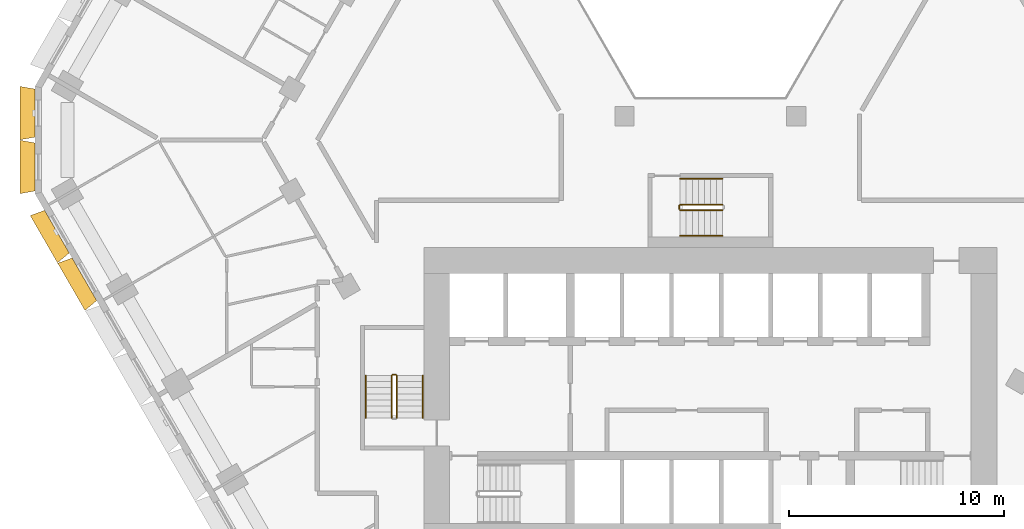
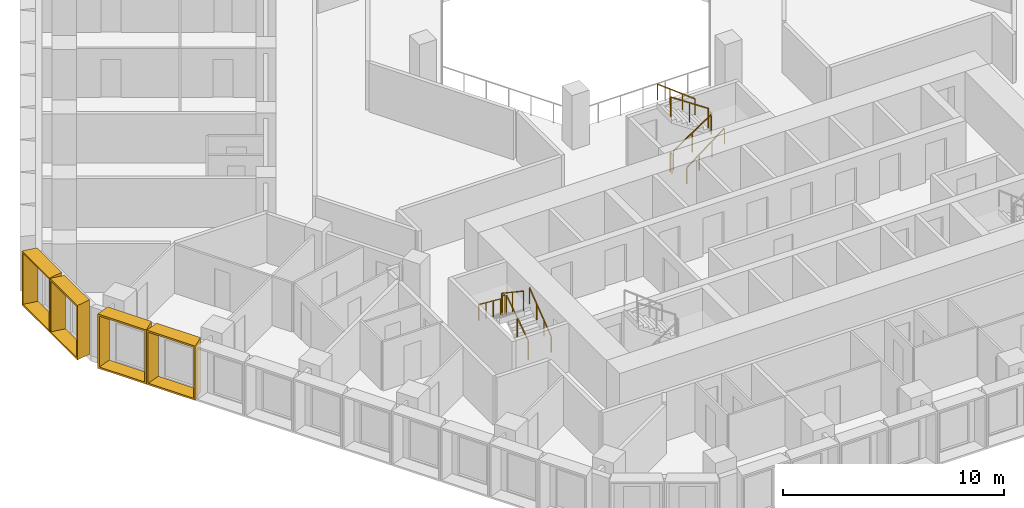
# One storey, part 19 of 21: 10 railings, 4 shading devices.
"""IFC4 building model written with IfcOpenShell, lengths in metres."""

from ifc_helpers import new_model, entity, si_unit, direction, frame, origin, origin_2d, place, context, subcontext, project, spatial, rectangle, extrude, source, transform, mapped, material, type_object, type_shapes, element, save


model = new_model("IFC4")

# Units and contexts
model_context = context("Model", 3, precision=1e-05, world=origin(), true_north=direction((0.0, 1.0)))
body_context = subcontext(model_context, "Body", "Model", "MODEL_VIEW")
ifc_project = project(units=[si_unit("LENGTHUNIT", "METRE"), si_unit("AREAUNIT", "SQUARE_METRE"), si_unit("VOLUMEUNIT", "CUBIC_METRE"), si_unit("PLANEANGLEUNIT", "RADIAN"), si_unit("MASSUNIT", "GRAM", prefix="KILO")], contexts=[model_context])

# Site, building, storey
site_placement = place(None, origin())
site = spatial("IfcSite", under=ifc_project, at=site_placement, CompositionType="ELEMENT")
building_placement = place(site_placement, origin())
building = spatial("IfcBuilding", under=site, at=building_placement, Name="Beryl Residences", CompositionType="ELEMENT")
storey_placement = place(building_placement, frame((0.0, 0.0, 47.39990234375)))
storey = spatial("IfcBuildingStorey", under=building, at=storey_placement, Name="L14", CompositionType="ELEMENT", Elevation=47.39990234375)

# Shading devices
ifc_material_1 = material(Name="Aluminium pale anodised", Category="aluminium")
shading_device_type_1 = type_object("IfcShadingDeviceType", Name="FR250-70A OUTER SKIN frame 700 mm deep, splay 10/10 deg, 2500 x 3000 mm cell", PredefinedType="USERDEFINED", material=ifc_material_1)
cartesian_point_1 = entity("IfcCartesianPoint", [-1.116455078125, 0.0])
cartesian_point_2 = entity("IfcCartesianPoint", [-1.03515625, 0.10009765625])
cartesian_point_3 = entity("IfcCartesianPoint", [-1.239990234375, 0.0])
cartesian_point_4 = entity("IfcCartesianPoint", [-1.15869140625, 0.10009765625])
shared_shape_1 = source(origin(), body_context, "Body", "SweptSolid", [
    entity("IfcExtrudedAreaSolidTapered", entity("IfcArbitraryProfileDefWithVoids", "AREA", None, entity("IfcPolyline", [cartesian_point_1, entity("IfcCartesianPoint", [1.116455078125, 0.0]), entity("IfcCartesianPoint", [1.116455078125, 3.0]), entity("IfcCartesianPoint", [-1.116455078125, 3.0]), cartesian_point_1]), [entity("IfcPolyline", [cartesian_point_2, entity("IfcCartesianPoint", [1.03515625, 0.10009765625]), entity("IfcCartesianPoint", [1.03515625, 2.89990234375]), entity("IfcCartesianPoint", [-1.03515625, 2.89990234375]), cartesian_point_2])]), entity("IfcAxis2Placement3D", entity("IfcCartesianPoint", [0.0, 0.0, 0.0]), entity("IfcDirection", [0.0, 1.0, 0.0]), entity("IfcDirection", [-1.0, 0.0, 0.0])), entity("IfcDirection", [0.0, 0.0, 1.0]), 0.699951171875, entity("IfcArbitraryProfileDefWithVoids", "AREA", None, entity("IfcPolyline", [cartesian_point_3, entity("IfcCartesianPoint", [1.239990234375, 0.0]), entity("IfcCartesianPoint", [1.239990234375, 3.0]), entity("IfcCartesianPoint", [-1.239990234375, 3.0]), cartesian_point_3]), [entity("IfcPolyline", [cartesian_point_4, entity("IfcCartesianPoint", [1.15869140625, 0.10009765625]), entity("IfcCartesianPoint", [1.15869140625, 2.89990234375]), entity("IfcCartesianPoint", [-1.15869140625, 2.89990234375]), cartesian_point_4])])),
])
type_shapes(shading_device_type_1, [shared_shape_1])
for number, where, z_axis, x_axis, name in (
    (1, (-31.35009765625, 1.25, 0.0), (0.0, 0.0, 1.0), (0.0, 1.0, 0.0), "FR250-70A frame L14 NW-SW 1"),
    (2, (-31.35009765625, -1.25, 0.0), (0.0, 0.0, 1.0), (0.0, 1.0, 0.0), "FR250-70A frame L14 NW-SW 2"),
):
    element("IfcShadingDevice", number, at=place(storey_placement, frame(where, z_axis=z_axis, x_axis=x_axis)), inside=storey, type_object=shading_device_type_1, Name=name, ObjectType="OUTER SKIN", PredefinedType="USERDEFINED", context=body_context, shape_type="MappedRepresentation", body=[
        mapped(shared_shape_1, transform((0.0, 0.0, 0.0))),
    ])
ifc_material_2 = material(Name="Aluminium pale anodised", Category="aluminium")
shading_device_type_2 = type_object("IfcShadingDeviceType", Name="FR255-70A OUTER SKIN frame 700 mm deep, splay 10/10 deg, 2550 x 3000 mm cell", PredefinedType="USERDEFINED", material=ifc_material_2)
cartesian_point_5 = entity("IfcCartesianPoint", [-1.1416015625, 0.0])
cartesian_point_6 = entity("IfcCartesianPoint", [-1.060302734375, 0.10009765625])
cartesian_point_7 = entity("IfcCartesianPoint", [-1.264892578125, 0.0])
cartesian_point_8 = entity("IfcCartesianPoint", [-1.18359375, 0.10009765625])
shared_shape_2 = source(origin(), body_context, "Body", "SweptSolid", [
    entity("IfcExtrudedAreaSolidTapered", entity("IfcArbitraryProfileDefWithVoids", "AREA", None, entity("IfcPolyline", [cartesian_point_5, entity("IfcCartesianPoint", [1.1416015625, 0.0]), entity("IfcCartesianPoint", [1.1416015625, 3.0]), entity("IfcCartesianPoint", [-1.1416015625, 3.0]), cartesian_point_5]), [entity("IfcPolyline", [cartesian_point_6, entity("IfcCartesianPoint", [1.060302734375, 0.10009765625]), entity("IfcCartesianPoint", [1.060302734375, 2.89990234375]), entity("IfcCartesianPoint", [-1.060302734375, 2.89990234375]), cartesian_point_6])]), entity("IfcAxis2Placement3D", entity("IfcCartesianPoint", [0.0, 0.0, 0.0]), entity("IfcDirection", [0.0, 1.0, 0.0]), entity("IfcDirection", [-1.0, 0.0, 0.0])), entity("IfcDirection", [0.0, 0.0, 1.0]), 0.699951171875, entity("IfcArbitraryProfileDefWithVoids", "AREA", None, entity("IfcPolyline", [cartesian_point_7, entity("IfcCartesianPoint", [1.264892578125, 0.0]), entity("IfcCartesianPoint", [1.264892578125, 3.0]), entity("IfcCartesianPoint", [-1.264892578125, 3.0]), cartesian_point_7]), [entity("IfcPolyline", [cartesian_point_8, entity("IfcCartesianPoint", [1.18359375, 0.10009765625]), entity("IfcCartesianPoint", [1.18359375, 2.89990234375]), entity("IfcCartesianPoint", [-1.18359375, 2.89990234375]), cartesian_point_8])])),
])
type_shapes(shading_device_type_2, [shared_shape_2])
for number, where, z_axis, x_axis, name in (
    (3, (-30.3359375, -4.2548828125, 0.0), (0.0, 0.0, 1.0), (-0.5, 0.866025403784, 0.0), "FR255-70A frame L14 SW 1"),
    (4, (-29.06005859375, -6.465087890625, 0.0), (0.0, 0.0, 1.0), (-0.5, 0.866025403784, 0.0), "FR255-70A frame L14 SW 2"),
):
    element("IfcShadingDevice", number, at=place(storey_placement, frame(where, z_axis=z_axis, x_axis=x_axis)), inside=storey, type_object=shading_device_type_2, Name=name, ObjectType="OUTER SKIN", PredefinedType="USERDEFINED", context=body_context, shape_type="MappedRepresentation", body=[
        mapped(shared_shape_2, transform((0.0, 0.0, 0.0))),
    ])

# Railings
ifc_material_3 = material(Name="Stainless steel balustrade with glass infill", Category="steel")
railing_type_1 = type_object("IfcRailingType", Name="SG1 stair guard 1100 mm", PredefinedType="GUARDRAIL", material=ifc_material_3)
railing_1_placement = place(storey_placement, frame((-14.550048828125, -12.89990234375, 0.1875)))
element("IfcRailing", 5, at=railing_1_placement, inside=storey, type_object=railing_type_1, Name="L14 ST-2 stair guard 1", PredefinedType="GUARDRAIL", context=body_context, shape_type="SweptSolid", body=[
    extrude(rectangle(XDim=0.048095703125, YDim=0.048095703125, at=origin_2d()), frame((0.0, 0.0, 1.076171875), z_axis=(0.0, 0.830902050051, 0.556418712142), x_axis=(-1.0, 0.0, 0.0)), (0.0, 0.0, 1.0), 2.35888671875),
    extrude(rectangle(XDim=0.0419921875, YDim=0.0419921875, at=origin_2d()), origin(), (0.0, 0.0, 1.0), 1.052001953125),
    extrude(rectangle(XDim=0.0419921875, YDim=0.0419921875, at=origin_2d()), frame((0.0, 0.97998046875, 0.65625)), (0.0, 0.0, 1.0), 1.052001953125),
    extrude(rectangle(XDim=0.0419921875, YDim=0.0419921875, at=origin_2d()), frame((0.0, 1.9599609375, 1.3125)), (0.0, 0.0, 1.0), 1.052001953125),
])
railing_2_placement = place(storey_placement, frame((-14.60009765625, -10.889892578125, 1.5)))
element("IfcRailing", 6, at=railing_2_placement, inside=storey, type_object=railing_type_1, Name="L14 ST-2 stair guard 2", PredefinedType="GUARDRAIL", context=body_context, shape_type="SweptSolid", body=[
    extrude(rectangle(XDim=0.048095703125, YDim=0.048095703125, at=origin_2d()), frame((0.0, 0.0, 1.076171875), z_axis=(-1.0, 0.0, 0.0), x_axis=(0.0, -1.0, 0.0)), (0.0, 0.0, 1.0), 0.14990234375),
    extrude(rectangle(XDim=0.0419921875, YDim=0.0419921875, at=origin_2d()), origin(), (0.0, 0.0, 1.0), 1.052001953125),
    extrude(rectangle(XDim=0.0419921875, YDim=0.0419921875, at=origin_2d()), frame((-0.14990234375, 0.0, 0.0)), (0.0, 0.0, 1.0), 1.052001953125),
])
railing_3_placement = place(storey_placement, frame((-14.800048828125, -10.93994140625, 1.6875)))
element("IfcRailing", 7, at=railing_3_placement, inside=storey, type_object=railing_type_1, Name="L14 ST-2 stair guard 3", PredefinedType="GUARDRAIL", context=body_context, shape_type="SweptSolid", body=[
    extrude(rectangle(XDim=0.048095703125, YDim=0.048095703125, at=origin_2d()), frame((0.0, 0.0, 1.076171875), z_axis=(0.0, -0.830902050051, 0.556418712142), x_axis=(1.0, 0.0, 0.0)), (0.0, 0.0, 1.0), 2.35888671875),
    extrude(rectangle(XDim=0.0419921875, YDim=0.0419921875, at=origin_2d()), origin(), (0.0, 0.0, 1.0), 1.052001953125),
    extrude(rectangle(XDim=0.0419921875, YDim=0.0419921875, at=origin_2d()), frame((0.0, -0.97998046875, 0.65625)), (0.0, 0.0, 1.0), 1.052001953125),
    extrude(rectangle(XDim=0.0419921875, YDim=0.0419921875, at=origin_2d()), frame((0.0, -1.9599609375, 1.3125)), (0.0, 0.0, 1.0), 1.052001953125),
])
railing_4_placement = place(storey_placement, frame((-1.39990234375, -3.25, 0.1875)))
element("IfcRailing", 8, at=railing_4_placement, inside=storey, type_object=railing_type_1, Name="L14 ST-4 stair guard 1", PredefinedType="GUARDRAIL", context=body_context, shape_type="SweptSolid", body=[
    extrude(rectangle(XDim=0.048095703125, YDim=0.048095703125, at=origin_2d()), frame((0.0, 0.0, 1.076171875), z_axis=(0.830902050051, 0.0, 0.556418712142), x_axis=(0.0, 1.0, 0.0)), (0.0, 0.0, 1.0), 2.35888671875),
    extrude(rectangle(XDim=0.0419921875, YDim=0.0419921875, at=origin_2d()), origin(), (0.0, 0.0, 1.0), 1.052001953125),
    extrude(rectangle(XDim=0.0419921875, YDim=0.0419921875, at=origin_2d()), frame((0.97998046875, 0.0, 0.65625)), (0.0, 0.0, 1.0), 1.052001953125),
    extrude(rectangle(XDim=0.0419921875, YDim=0.0419921875, at=origin_2d()), frame((1.9599609375, 0.0, 1.3125)), (0.0, 0.0, 1.0), 1.052001953125),
])
railing_5_placement = place(storey_placement, frame((0.56005859375, -3.0, 1.6875)))
element("IfcRailing", 9, at=railing_5_placement, inside=storey, type_object=railing_type_1, Name="L14 ST-4 stair guard 3", PredefinedType="GUARDRAIL", context=body_context, shape_type="SweptSolid", body=[
    extrude(rectangle(XDim=0.048095703125, YDim=0.048095703125, at=origin_2d()), frame((0.0, 0.0, 1.076171875), z_axis=(-0.830902050051, 0.0, 0.556418712142), x_axis=(0.0, -1.0, 0.0)), (0.0, 0.0, 1.0), 2.35888671875),
    extrude(rectangle(XDim=0.0419921875, YDim=0.0419921875, at=origin_2d()), origin(), (0.0, 0.0, 1.0), 1.052001953125),
    extrude(rectangle(XDim=0.0419921875, YDim=0.0419921875, at=origin_2d()), frame((-0.97998046875, 0.0, 0.65625)), (0.0, 0.0, 1.0), 1.052001953125),
    extrude(rectangle(XDim=0.0419921875, YDim=0.0419921875, at=origin_2d()), frame((-1.9599609375, 0.0, 1.3125)), (0.0, 0.0, 1.0), 1.052001953125),
])
railing_6_placement = place(storey_placement, frame((-1.449951171875, -3.199951171875, 0.0)))
element("IfcRailing", 10, at=railing_6_placement, inside=storey, type_object=railing_type_1, Name="L14 ST-4 stair guard 4", PredefinedType="GUARDRAIL", context=body_context, shape_type="SweptSolid", body=[
    extrude(rectangle(XDim=0.048095703125, YDim=0.048095703125, at=origin_2d()), frame((0.0, 0.0, 1.076171875), z_axis=(0.0, 1.0, 0.0), x_axis=(-1.0, 0.0, 0.0)), (0.0, 0.0, 1.0), 0.14990234375),
    extrude(rectangle(XDim=0.0419921875, YDim=0.0419921875, at=origin_2d()), origin(), (0.0, 0.0, 1.0), 1.052001953125),
    extrude(rectangle(XDim=0.0419921875, YDim=0.0419921875, at=origin_2d()), frame((0.0, 0.14990234375, 0.0)), (0.0, 0.0, 1.0), 1.052001953125),
])
ifc_material_4 = material(Name="Stainless steel handrail", Category="steel")
railing_type_2 = type_object("IfcRailingType", Name="SRL1 stair handrail 900 mm", PredefinedType="HANDRAIL", material=ifc_material_4)
railing_7_placement = place(storey_placement, frame((-13.35009765625, -12.89990234375, 0.1875)))
element("IfcRailing", 11, at=railing_7_placement, inside=storey, type_object=railing_type_2, Name="L14 ST-2 stair handrail 1", PredefinedType="HANDRAIL", context=body_context, shape_type="SweptSolid", body=[
    extrude(rectangle(XDim=0.048095703125, YDim=0.048095703125, at=origin_2d()), frame((0.0, 0.0, 0.8759765625), z_axis=(0.0, 0.794121922505, 0.607758481798), x_axis=(-1.0, 0.0, 0.0)), (0.0, 0.0, 1.0), 2.468017578125),
    extrude(rectangle(XDim=0.0419921875, YDim=0.0419921875, at=origin_2d()), origin(), (0.0, 0.0, 1.0), 0.851806640625),
    extrude(rectangle(XDim=0.0419921875, YDim=0.0419921875, at=origin_2d()), frame((0.0, 0.6533203125, 0.5)), (0.0, 0.0, 1.0), 0.851806640625),
    extrude(rectangle(XDim=0.0419921875, YDim=0.0419921875, at=origin_2d()), frame((0.0, 1.306640625, 1.0)), (0.0, 0.0, 1.0), 0.851806640625),
    extrude(rectangle(XDim=0.0419921875, YDim=0.0419921875, at=origin_2d()), frame((0.0, 1.9599609375, 1.5)), (0.0, 0.0, 1.0), 0.851806640625),
])
railing_8_placement = place(storey_placement, frame((-16.0, -10.93994140625, 1.6875)))
element("IfcRailing", 12, at=railing_8_placement, inside=storey, type_object=railing_type_2, Name="L14 ST-2 stair handrail 2", PredefinedType="HANDRAIL", context=body_context, shape_type="SweptSolid", body=[
    extrude(rectangle(XDim=0.048095703125, YDim=0.048095703125, at=origin_2d()), frame((0.0, 0.0, 0.8759765625), z_axis=(0.0, -0.794121922505, 0.607758481798), x_axis=(1.0, 0.0, 0.0)), (0.0, 0.0, 1.0), 2.468017578125),
    extrude(rectangle(XDim=0.0419921875, YDim=0.0419921875, at=origin_2d()), origin(), (0.0, 0.0, 1.0), 0.851806640625),
    extrude(rectangle(XDim=0.0419921875, YDim=0.0419921875, at=origin_2d()), frame((0.0, -0.6533203125, 0.5)), (0.0, 0.0, 1.0), 0.851806640625),
    extrude(rectangle(XDim=0.0419921875, YDim=0.0419921875, at=origin_2d()), frame((0.0, -1.306640625, 1.0)), (0.0, 0.0, 1.0), 0.851806640625),
    extrude(rectangle(XDim=0.0419921875, YDim=0.0419921875, at=origin_2d()), frame((0.0, -1.9599609375, 1.5)), (0.0, 0.0, 1.0), 0.851806640625),
])
railing_9_placement = place(storey_placement, frame((-1.39990234375, -4.449951171875, 0.1875)))
element("IfcRailing", 13, at=railing_9_placement, inside=storey, type_object=railing_type_2, Name="L14 ST-4 stair handrail 1", PredefinedType="HANDRAIL", context=body_context, shape_type="SweptSolid", body=[
    extrude(rectangle(XDim=0.048095703125, YDim=0.048095703125, at=origin_2d()), frame((0.0, 0.0, 0.8759765625), z_axis=(0.794121922505, 0.0, 0.607758481798), x_axis=(0.0, 1.0, 0.0)), (0.0, 0.0, 1.0), 2.468017578125),
    extrude(rectangle(XDim=0.0419921875, YDim=0.0419921875, at=origin_2d()), origin(), (0.0, 0.0, 1.0), 0.851806640625),
    extrude(rectangle(XDim=0.0419921875, YDim=0.0419921875, at=origin_2d()), frame((0.6533203125, 0.0, 0.5)), (0.0, 0.0, 1.0), 0.851806640625),
    extrude(rectangle(XDim=0.0419921875, YDim=0.0419921875, at=origin_2d()), frame((1.306640625, 0.0, 1.0)), (0.0, 0.0, 1.0), 0.851806640625),
    extrude(rectangle(XDim=0.0419921875, YDim=0.0419921875, at=origin_2d()), frame((1.9599609375, 0.0, 1.5)), (0.0, 0.0, 1.0), 0.851806640625),
])
railing_10_placement = place(storey_placement, frame((0.56005859375, -1.800048828125, 1.6875)))
element("IfcRailing", 14, at=railing_10_placement, inside=storey, type_object=railing_type_2, Name="L14 ST-4 stair handrail 2", PredefinedType="HANDRAIL", context=body_context, shape_type="SweptSolid", body=[
    extrude(rectangle(XDim=0.048095703125, YDim=0.048095703125, at=origin_2d()), frame((0.0, 0.0, 0.8759765625), z_axis=(-0.794121922505, 0.0, 0.607758481798), x_axis=(0.0, -1.0, 0.0)), (0.0, 0.0, 1.0), 2.468017578125),
    extrude(rectangle(XDim=0.0419921875, YDim=0.0419921875, at=origin_2d()), origin(), (0.0, 0.0, 1.0), 0.851806640625),
    extrude(rectangle(XDim=0.0419921875, YDim=0.0419921875, at=origin_2d()), frame((-0.6533203125, 0.0, 0.5)), (0.0, 0.0, 1.0), 0.851806640625),
    extrude(rectangle(XDim=0.0419921875, YDim=0.0419921875, at=origin_2d()), frame((-1.306640625, 0.0, 1.0)), (0.0, 0.0, 1.0), 0.851806640625),
    extrude(rectangle(XDim=0.0419921875, YDim=0.0419921875, at=origin_2d()), frame((-1.9599609375, 0.0, 1.5)), (0.0, 0.0, 1.0), 0.851806640625),
])

save(model, "model.ifc")
